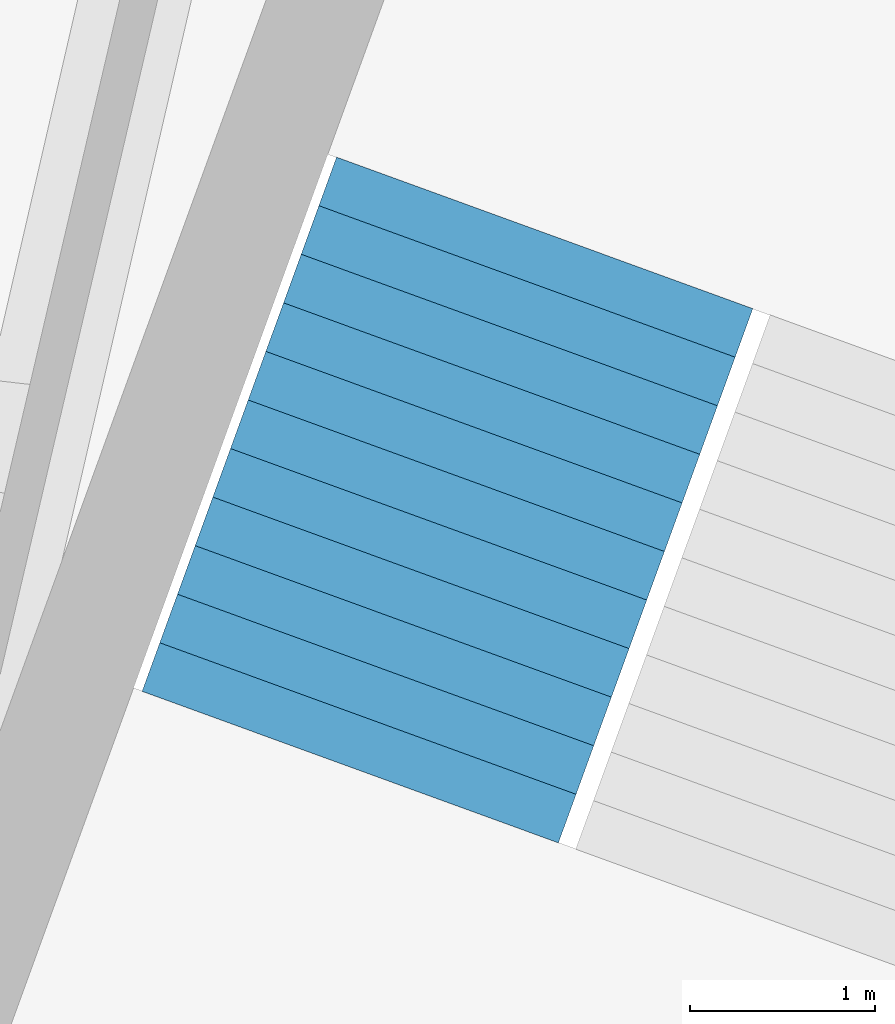
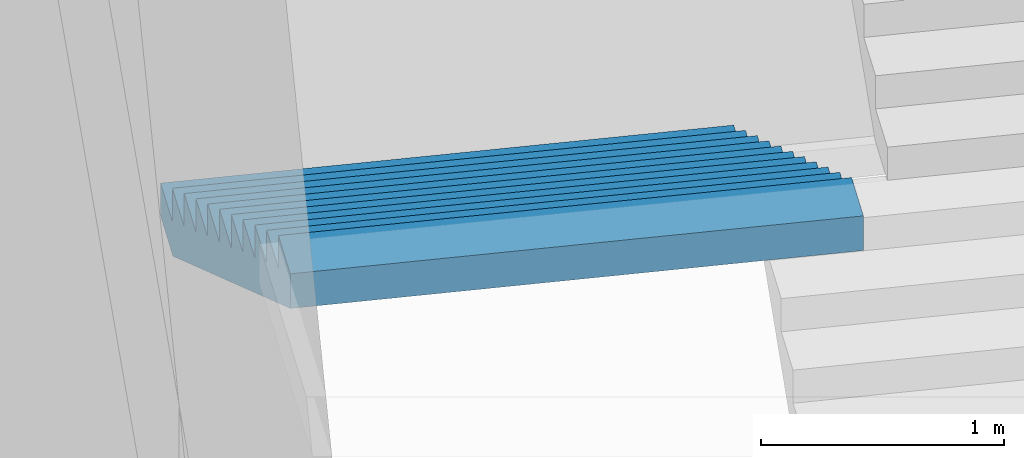
# One storey, part 48 of 74: 1 stair flight, 1 element without a shape of its own.
"""IFC4 building model written with IfcOpenShell, lengths in metres."""

from ifc_helpers import new_model, si_unit, direction, frame, origin, place, context, subcontext, project, spatial, triangles, material, type_object, element, aggregate, save


model = new_model("IFC4")

# Units and contexts
model_context = context("Model", 3, precision=1e-05, world=origin(), true_north=direction((0.0, 1.0)))
body_context = subcontext(model_context, "Body", "Model", "MODEL_VIEW")
ifc_project = project(units=[si_unit("LENGTHUNIT", "METRE"), si_unit("AREAUNIT", "SQUARE_METRE"), si_unit("VOLUMEUNIT", "CUBIC_METRE"), si_unit("PLANEANGLEUNIT", "RADIAN"), si_unit("MASSUNIT", "GRAM", prefix="KILO")], contexts=[model_context])

# Site, building, storey
site_placement = place(None, origin())
site = spatial("IfcSite", under=ifc_project, at=site_placement, CompositionType="ELEMENT")
building_placement = place(site_placement, origin())
building = spatial("IfcBuilding", under=site, at=building_placement, Name="Lantaw Convention Tower", CompositionType="ELEMENT")
storey_placement = place(building_placement, frame((0.0, 0.0, 6.5)))
storey = spatial("IfcBuildingStorey", under=building, at=storey_placement, Name="L01", CompositionType="ELEMENT", Elevation=6.5)

# Stair, stair flight
ifc_material = material(Name="Concrete C35/45", Category="concrete")
stair_type = type_object("IfcStairType", Name="Exit stair 2400 riser 166.67 in 4 flights", PredefinedType="HALF_TURN_STAIR", material=ifc_material)
stair_placement = place(storey_placement, origin())
stair = element("IfcStair", 1, at=stair_placement, inside=storey, type_object=stair_type, Name="Podium exit stair P5 L01", PredefinedType="HALF_TURN_STAIR")
stair_flight_type = type_object("IfcStairFlightType", Name="Stair flight 2400 riser 166.67", PredefinedType="STRAIGHT", material=ifc_material)
stair_flight_placement = place(storey_placement, frame((9.180419921875, 28.8779296875, 2.0), z_axis=(0.0, 0.0, 1.0), x_axis=(-0.342020143326, -0.939692620786, 0.0)))
stair_flight = element("IfcStairFlight", 2, at=stair_flight_placement, type_object=stair_flight_type, Name="P5 flight 2", NumberOfRisers=12, NumberOfTreads=11, PredefinedType="STRAIGHT", RiserHeight=0.166666667, TreadLength=0.28, context=body_context, shape_type="Tessellation", body=[
    triangles([(0.0, 1.199951171875, 0.0), (0.0, 1.199951171875, 0.166666667), (0.28, 1.199951171875, 0.0), (0.28, 1.199951171875, 0.166666667), (0.28, 1.199951171875, 0.333333334), (0.29307345806906726, 1.199951171875, 0.0), (0.29307345806906726, 1.199951171875, 0.333333334), (0.56, 1.199951171875, 0.15888484670522965), (0.56, 1.199951171875, 0.333333334), (0.56, 1.199951171875, 0.500000001), (0.8400000000000001, 1.199951171875, 0.3255515137052296), (0.8400000000000001, 1.199951171875, 0.500000001), (0.8400000000000001, 1.199951171875, 0.666666668), (1.12, 1.199951171875, 0.4922181807052296), (1.12, 1.199951171875, 0.666666668), (1.12, 1.199951171875, 0.833333335), (1.4000000000000001, 1.199951171875, 0.6588848477052296), (1.4000000000000001, 1.199951171875, 0.833333335), (1.4000000000000001, 1.199951171875, 1.000000002), (1.6800000000000002, 1.199951171875, 0.8255515147052296), (1.6800000000000002, 1.199951171875, 1.000000002), (1.6800000000000002, 1.199951171875, 1.166666669), (1.9600000000000002, 1.199951171875, 0.9922181817052296), (1.9600000000000002, 1.199951171875, 1.166666669), (1.9600000000000002, 1.199951171875, 1.333333336), (2.24, 1.199951171875, 1.1588848487052295), (2.24, 1.199951171875, 1.333333336), (2.24, 1.199951171875, 1.5000000029999998), (2.5200000000000005, 1.199951171875, 1.3255515157052296), (2.5200000000000005, 1.199951171875, 1.5000000029999998), (2.5200000000000005, 1.199951171875, 1.66666667), (2.8000000000000003, 1.199951171875, 1.4922181827052294), (2.8000000000000003, 1.199951171875, 1.66666667), (2.8000000000000003, 1.199951171875, 1.833333337), (3.08, 1.199951171875, 1.6588848497052293), (3.08, 1.199951171875, 1.833333337), (0.0, -1.199951171875, 0.0), (0.0, -1.199951171875, 0.166666667), (0.28, -1.199951171875, 0.0), (0.28, -1.199951171875, 0.166666667), (0.28, -1.199951171875, 0.333333334), (0.29307345806906726, -1.199951171875, 0.0), (0.29307345806906726, -1.199951171875, 0.333333334), (0.56, -1.199951171875, 0.15888484670522965), (0.56, -1.199951171875, 0.333333334), (0.56, -1.199951171875, 0.500000001), (0.8400000000000001, -1.199951171875, 0.3255515137052296), (0.8400000000000001, -1.199951171875, 0.500000001), (0.8400000000000001, -1.199951171875, 0.666666668), (1.12, -1.199951171875, 0.4922181807052296), (1.12, -1.199951171875, 0.666666668), (1.12, -1.199951171875, 0.833333335), (1.4000000000000001, -1.199951171875, 0.6588848477052296), (1.4000000000000001, -1.199951171875, 0.833333335), (1.4000000000000001, -1.199951171875, 1.000000002), (1.6800000000000002, -1.199951171875, 0.8255515147052296), (1.6800000000000002, -1.199951171875, 1.000000002), (1.6800000000000002, -1.199951171875, 1.166666669), (1.9600000000000002, -1.199951171875, 0.9922181817052296), (1.9600000000000002, -1.199951171875, 1.166666669), (1.9600000000000002, -1.199951171875, 1.333333336), (2.24, -1.199951171875, 1.1588848487052295), (2.24, -1.199951171875, 1.333333336), (2.24, -1.199951171875, 1.5000000029999998), (2.5200000000000005, -1.199951171875, 1.3255515157052296), (2.5200000000000005, -1.199951171875, 1.5000000029999998), (2.5200000000000005, -1.199951171875, 1.66666667), (2.8000000000000003, -1.199951171875, 1.4922181827052294), (2.8000000000000003, -1.199951171875, 1.66666667), (2.8000000000000003, -1.199951171875, 1.833333337), (3.08, -1.199951171875, 1.6588848497052293), (3.08, -1.199951171875, 1.833333337), (0.0, 0.239990234375, 0.166666667), (0.0, 0.239990234375, 0.0), (0.0, 0.1199951171875, 0.166666667), (0.0, 0.1199951171875, 0.0), (0.0, 0.0, 0.166666667), (0.0, 0.0, 0.0), (0.0, -0.1199951171875, 0.166666667), (0.0, -0.1199951171875, 0.0), (0.0, -0.239990234375, 0.166666667), (0.0, -0.239990234375, 0.0), (0.28, 0.239990234375, 0.333333334), (0.28, 0.239990234375, 0.166666667), (0.28, 0.1199951171875, 0.333333334), (0.28, 0.1199951171875, 0.166666667), (0.28, 0.0, 0.333333334), (0.28, 0.0, 0.166666667), (0.28, -0.1199951171875, 0.333333334), (0.28, -0.1199951171875, 0.166666667), (0.28, -0.239990234375, 0.333333334), (0.28, -0.239990234375, 0.166666667), (0.56, 0.239990234375, 0.500000001), (0.56, 0.239990234375, 0.333333334), (0.56, 0.1199951171875, 0.500000001), (0.56, 0.1199951171875, 0.333333334), (0.56, 0.0, 0.500000001), (0.56, 0.0, 0.333333334), (0.56, -0.1199951171875, 0.500000001), (0.56, -0.1199951171875, 0.333333334), (0.56, -0.239990234375, 0.500000001), (0.56, -0.239990234375, 0.333333334), (0.8400000000000001, 0.239990234375, 0.666666668), (0.8400000000000001, 0.239990234375, 0.500000001), (0.8400000000000001, 0.1199951171875, 0.666666668), (0.8400000000000001, 0.1199951171875, 0.500000001), (0.8400000000000001, 0.0, 0.666666668), (0.8400000000000001, 0.0, 0.500000001), (0.8400000000000001, -0.1199951171875, 0.666666668), (0.8400000000000001, -0.1199951171875, 0.500000001), (0.8400000000000001, -0.239990234375, 0.666666668), (0.8400000000000001, -0.239990234375, 0.500000001), (1.12, 0.239990234375, 0.833333335), (1.12, 0.239990234375, 0.666666668), (1.12, 0.1199951171875, 0.833333335), (1.12, 0.1199951171875, 0.666666668), (1.12, 0.0, 0.833333335), (1.12, 0.0, 0.666666668), (1.12, -0.1199951171875, 0.833333335), (1.12, -0.1199951171875, 0.666666668), (1.12, -0.239990234375, 0.833333335), (1.12, -0.239990234375, 0.666666668), (1.4000000000000001, 0.239990234375, 1.000000002), (1.4000000000000001, 0.239990234375, 0.833333335), (1.4000000000000001, 0.1199951171875, 1.000000002), (1.4000000000000001, 0.1199951171875, 0.833333335), (1.4000000000000001, 0.0, 1.000000002), (1.4000000000000001, 0.0, 0.833333335), (1.4000000000000001, -0.1199951171875, 1.000000002), (1.4000000000000001, -0.1199951171875, 0.833333335), (1.4000000000000001, -0.239990234375, 1.000000002), (1.4000000000000001, -0.239990234375, 0.833333335), (1.6800000000000002, 0.239990234375, 1.166666669), (1.6800000000000002, 0.239990234375, 1.000000002), (1.6800000000000002, 0.1199951171875, 1.166666669), (1.6800000000000002, 0.1199951171875, 1.000000002), (1.6800000000000002, 0.0, 1.166666669), (1.6800000000000002, 0.0, 1.000000002), (1.6800000000000002, -0.1199951171875, 1.166666669), (1.6800000000000002, -0.1199951171875, 1.000000002), (1.6800000000000002, -0.239990234375, 1.166666669), (1.6800000000000002, -0.239990234375, 1.000000002), (1.9600000000000002, 0.239990234375, 1.333333336), (1.9600000000000002, 0.239990234375, 1.166666669), (1.9600000000000002, 0.1199951171875, 1.333333336), (1.9600000000000002, 0.1199951171875, 1.166666669), (1.9600000000000002, 0.0, 1.333333336), (1.9600000000000002, 0.0, 1.166666669), (1.9600000000000002, -0.1199951171875, 1.333333336), (1.9600000000000002, -0.1199951171875, 1.166666669), (1.9600000000000002, -0.239990234375, 1.333333336), (1.9600000000000002, -0.239990234375, 1.166666669), (2.24, 0.239990234375, 1.5000000029999998), (2.24, 0.239990234375, 1.333333336), (2.24, 0.1199951171875, 1.5000000029999998), (2.24, 0.1199951171875, 1.333333336), (2.24, 0.0, 1.5000000029999998), (2.24, 0.0, 1.333333336), (2.24, -0.1199951171875, 1.5000000029999998), (2.24, -0.1199951171875, 1.333333336), (2.24, -0.239990234375, 1.5000000029999998), (2.24, -0.239990234375, 1.333333336), (2.5200000000000005, 0.239990234375, 1.66666667), (2.5200000000000005, 0.239990234375, 1.5000000029999998), (2.5200000000000005, 0.1199951171875, 1.66666667), (2.5200000000000005, 0.1199951171875, 1.5000000029999998), (2.5200000000000005, 0.0, 1.66666667), (2.5200000000000005, 0.0, 1.5000000029999998), (2.5200000000000005, -0.1199951171875, 1.66666667), (2.5200000000000005, -0.1199951171875, 1.5000000029999998), (2.5200000000000005, -0.239990234375, 1.66666667), (2.5200000000000005, -0.239990234375, 1.5000000029999998), (2.8000000000000003, 0.239990234375, 1.833333337), (2.8000000000000003, 0.239990234375, 1.66666667), (2.8000000000000003, 0.1199951171875, 1.833333337), (2.8000000000000003, 0.1199951171875, 1.66666667), (2.8000000000000003, 0.0, 1.833333337), (2.8000000000000003, 0.0, 1.66666667), (2.8000000000000003, -0.1199951171875, 1.833333337), (2.8000000000000003, -0.1199951171875, 1.66666667), (2.8000000000000003, -0.239990234375, 1.833333337), (2.8000000000000003, -0.239990234375, 1.66666667), (0.29307345806906726, 0.239990234375, 0.333333334), (0.29307345806906726, 0.1199951171875, 0.333333334), (0.29307345806906726, 0.0, 0.333333334), (0.29307345806906726, -0.1199951171875, 0.333333334), (0.29307345806906726, -0.239990234375, 0.333333334), (3.08, 0.239990234375, 1.833333337), (3.08, 0.1199951171875, 1.833333337), (3.08, 0.0, 1.833333337), (3.08, -0.1199951171875, 1.833333337), (3.08, -0.239990234375, 1.833333337), (3.08, 0.239990234375, 1.6588848497052293), (3.08, 0.1199951171875, 1.6588848497052293), (3.08, 0.0, 1.6588848497052293), (3.08, -0.1199951171875, 1.6588848497052293), (3.08, -0.239990234375, 1.6588848497052293), (2.8000000000000003, 0.239990234375, 1.4922181827052294), (2.8000000000000003, 0.1199951171875, 1.4922181827052294), (2.8000000000000003, 0.0, 1.4922181827052294), (2.8000000000000003, -0.1199951171875, 1.4922181827052294), (2.8000000000000003, -0.239990234375, 1.4922181827052294), (2.5200000000000005, 0.239990234375, 1.3255515157052296), (2.5200000000000005, 0.1199951171875, 1.3255515157052296), (2.5200000000000005, 0.0, 1.3255515157052296), (2.5200000000000005, -0.1199951171875, 1.3255515157052296), (2.5200000000000005, -0.239990234375, 1.3255515157052296), (2.24, 0.239990234375, 1.1588848487052295), (2.24, 0.1199951171875, 1.1588848487052295), (2.24, 0.0, 1.1588848487052295), (2.24, -0.1199951171875, 1.1588848487052295), (2.24, -0.239990234375, 1.1588848487052295), (1.9600000000000002, 0.239990234375, 0.9922181817052296), (1.9600000000000002, 0.1199951171875, 0.9922181817052296), (1.9600000000000002, 0.0, 0.9922181817052296), (1.9600000000000002, -0.1199951171875, 0.9922181817052296), (1.9600000000000002, -0.239990234375, 0.9922181817052296), (1.6800000000000002, 0.239990234375, 0.8255515147052296), (1.6800000000000002, 0.1199951171875, 0.8255515147052296), (1.6800000000000002, 0.0, 0.8255515147052296), (1.6800000000000002, -0.1199951171875, 0.8255515147052296), (1.6800000000000002, -0.239990234375, 0.8255515147052296), (1.4000000000000001, 0.239990234375, 0.6588848477052296), (1.4000000000000001, 0.1199951171875, 0.6588848477052296), (1.4000000000000001, 0.0, 0.6588848477052296), (1.4000000000000001, -0.1199951171875, 0.6588848477052296), (1.4000000000000001, -0.239990234375, 0.6588848477052296), (1.12, 0.239990234375, 0.4922181807052296), (1.12, 0.1199951171875, 0.4922181807052296), (1.12, 0.0, 0.4922181807052296), (1.12, -0.1199951171875, 0.4922181807052296), (1.12, -0.239990234375, 0.4922181807052296), (0.8400000000000001, 0.239990234375, 0.3255515137052296), (0.8400000000000001, 0.1199951171875, 0.3255515137052296), (0.8400000000000001, 0.0, 0.3255515137052296), (0.8400000000000001, -0.1199951171875, 0.3255515137052296), (0.8400000000000001, -0.239990234375, 0.3255515137052296), (0.56, 0.239990234375, 0.15888484670522965), (0.56, 0.1199951171875, 0.15888484670522965), (0.56, 0.0, 0.15888484670522965), (0.56, -0.1199951171875, 0.15888484670522965), (0.56, -0.239990234375, 0.15888484670522965), (0.29307345806906726, 0.239990234375, 0.0), (0.29307345806906726, 0.1199951171875, 0.0), (0.29307345806906726, 0.0, 0.0), (0.29307345806906726, -0.1199951171875, 0.0), (0.29307345806906726, -0.239990234375, 0.0), (0.28, 0.239990234375, 0.0), (0.28, 0.1199951171875, 0.0), (0.28, 0.0, 0.0), (0.28, -0.1199951171875, 0.0), (0.28, -0.239990234375, 0.0)], [[1, 4, 3], [1, 2, 4], [3, 4, 6], [4, 7, 6], [4, 5, 7], [6, 9, 8], [6, 7, 9], [8, 9, 11], [9, 12, 11], [9, 10, 12], [11, 12, 14], [12, 15, 14], [12, 13, 15], [14, 15, 17], [15, 18, 17], [15, 16, 18], [17, 18, 20], [18, 21, 20], [18, 19, 21], [20, 21, 23], [21, 24, 23], [21, 22, 24], [23, 24, 26], [24, 27, 26], [24, 25, 27], [26, 27, 29], [27, 30, 29], [27, 28, 30], [29, 30, 32], [30, 33, 32], [30, 31, 33], [32, 33, 35], [33, 36, 35], [33, 34, 36], [37, 39, 40], [37, 40, 38], [39, 42, 40], [40, 42, 43], [40, 43, 41], [42, 44, 45], [42, 45, 43], [44, 47, 45], [45, 47, 48], [45, 48, 46], [47, 50, 48], [48, 50, 51], [48, 51, 49], [50, 53, 51], [51, 53, 54], [51, 54, 52], [53, 56, 54], [54, 56, 57], [54, 57, 55], [56, 59, 57], [57, 59, 60], [57, 60, 58], [59, 62, 60], [60, 62, 63], [60, 63, 61], [62, 65, 63], [63, 65, 66], [63, 66, 64], [65, 68, 66], [66, 68, 69], [66, 69, 67], [68, 71, 69], [69, 71, 72], [69, 72, 70], [1, 73, 2], [1, 74, 73], [74, 75, 73], [74, 76, 75], [76, 77, 75], [76, 78, 77], [78, 79, 77], [78, 80, 79], [80, 81, 79], [80, 82, 81], [82, 38, 81], [82, 37, 38], [4, 83, 5], [4, 84, 83], [84, 85, 83], [84, 86, 85], [86, 87, 85], [86, 88, 87], [88, 89, 87], [88, 90, 89], [90, 91, 89], [90, 92, 91], [92, 41, 91], [92, 40, 41], [9, 93, 10], [9, 94, 93], [94, 95, 93], [94, 96, 95], [96, 97, 95], [96, 98, 97], [98, 99, 97], [98, 100, 99], [100, 101, 99], [100, 102, 101], [102, 46, 101], [102, 45, 46], [12, 103, 13], [12, 104, 103], [104, 105, 103], [104, 106, 105], [106, 107, 105], [106, 108, 107], [108, 109, 107], [108, 110, 109], [110, 111, 109], [110, 112, 111], [112, 49, 111], [112, 48, 49], [15, 113, 16], [15, 114, 113], [114, 115, 113], [114, 116, 115], [116, 117, 115], [116, 118, 117], [118, 119, 117], [118, 120, 119], [120, 121, 119], [120, 122, 121], [122, 52, 121], [122, 51, 52], [18, 123, 19], [18, 124, 123], [124, 125, 123], [124, 126, 125], [126, 127, 125], [126, 128, 127], [128, 129, 127], [128, 130, 129], [130, 131, 129], [130, 132, 131], [132, 55, 131], [132, 54, 55], [21, 133, 22], [21, 134, 133], [134, 135, 133], [134, 136, 135], [136, 137, 135], [136, 138, 137], [138, 139, 137], [138, 140, 139], [140, 141, 139], [140, 142, 141], [142, 58, 141], [142, 57, 58], [24, 143, 25], [24, 144, 143], [144, 145, 143], [144, 146, 145], [146, 147, 145], [146, 148, 147], [148, 149, 147], [148, 150, 149], [150, 151, 149], [150, 152, 151], [152, 61, 151], [152, 60, 61], [27, 153, 28], [27, 154, 153], [154, 155, 153], [154, 156, 155], [156, 157, 155], [156, 158, 157], [158, 159, 157], [158, 160, 159], [160, 161, 159], [160, 162, 161], [162, 64, 161], [162, 63, 64], [30, 163, 31], [30, 164, 163], [164, 165, 163], [164, 166, 165], [166, 167, 165], [166, 168, 167], [168, 169, 167], [168, 170, 169], [170, 171, 169], [170, 172, 171], [172, 67, 171], [172, 66, 67], [33, 173, 34], [33, 174, 173], [174, 175, 173], [174, 176, 175], [176, 177, 175], [176, 178, 177], [178, 179, 177], [178, 180, 179], [180, 181, 179], [180, 182, 181], [182, 70, 181], [182, 69, 70], [2, 84, 4], [2, 73, 84], [73, 86, 84], [73, 75, 86], [75, 88, 86], [75, 77, 88], [77, 90, 88], [77, 79, 90], [79, 92, 90], [79, 81, 92], [81, 40, 92], [81, 38, 40], [5, 183, 7], [5, 83, 183], [83, 184, 183], [83, 85, 184], [85, 185, 184], [85, 87, 185], [87, 186, 185], [87, 89, 186], [89, 187, 186], [89, 91, 187], [91, 43, 187], [91, 41, 43], [7, 94, 9], [7, 183, 94], [183, 96, 94], [183, 184, 96], [184, 98, 96], [184, 185, 98], [185, 100, 98], [185, 186, 100], [186, 102, 100], [186, 187, 102], [187, 45, 102], [187, 43, 45], [10, 104, 12], [10, 93, 104], [93, 106, 104], [93, 95, 106], [95, 108, 106], [95, 97, 108], [97, 110, 108], [97, 99, 110], [99, 112, 110], [99, 101, 112], [101, 48, 112], [101, 46, 48], [13, 114, 15], [13, 103, 114], [103, 116, 114], [103, 105, 116], [105, 118, 116], [105, 107, 118], [107, 120, 118], [107, 109, 120], [109, 122, 120], [109, 111, 122], [111, 51, 122], [111, 49, 51], [16, 124, 18], [16, 113, 124], [113, 126, 124], [113, 115, 126], [115, 128, 126], [115, 117, 128], [117, 130, 128], [117, 119, 130], [119, 132, 130], [119, 121, 132], [121, 54, 132], [121, 52, 54], [19, 134, 21], [19, 123, 134], [123, 136, 134], [123, 125, 136], [125, 138, 136], [125, 127, 138], [127, 140, 138], [127, 129, 140], [129, 142, 140], [129, 131, 142], [131, 57, 142], [131, 55, 57], [22, 144, 24], [22, 133, 144], [133, 146, 144], [133, 135, 146], [135, 148, 146], [135, 137, 148], [137, 150, 148], [137, 139, 150], [139, 152, 150], [139, 141, 152], [141, 60, 152], [141, 58, 60], [25, 154, 27], [25, 143, 154], [143, 156, 154], [143, 145, 156], [145, 158, 156], [145, 147, 158], [147, 160, 158], [147, 149, 160], [149, 162, 160], [149, 151, 162], [151, 63, 162], [151, 61, 63], [28, 164, 30], [28, 153, 164], [153, 166, 164], [153, 155, 166], [155, 168, 166], [155, 157, 168], [157, 170, 168], [157, 159, 170], [159, 172, 170], [159, 161, 172], [161, 66, 172], [161, 64, 66], [31, 174, 33], [31, 163, 174], [163, 176, 174], [163, 165, 176], [165, 178, 176], [165, 167, 178], [167, 180, 178], [167, 169, 180], [169, 182, 180], [169, 171, 182], [171, 69, 182], [171, 67, 69], [34, 188, 36], [34, 173, 188], [173, 189, 188], [173, 175, 189], [175, 190, 189], [175, 177, 190], [177, 191, 190], [177, 179, 191], [179, 192, 191], [179, 181, 192], [181, 72, 192], [181, 70, 72], [36, 193, 35], [36, 188, 193], [188, 194, 193], [188, 189, 194], [189, 195, 194], [189, 190, 195], [190, 196, 195], [190, 191, 196], [191, 197, 196], [191, 192, 197], [192, 71, 197], [192, 72, 71], [35, 198, 32], [35, 193, 198], [193, 199, 198], [193, 194, 199], [194, 200, 199], [194, 195, 200], [195, 201, 200], [195, 196, 201], [196, 202, 201], [196, 197, 202], [197, 68, 202], [197, 71, 68], [32, 203, 29], [32, 198, 203], [198, 204, 203], [198, 199, 204], [199, 205, 204], [199, 200, 205], [200, 206, 205], [200, 201, 206], [201, 207, 206], [201, 202, 207], [202, 65, 207], [202, 68, 65], [29, 208, 26], [29, 203, 208], [203, 209, 208], [203, 204, 209], [204, 210, 209], [204, 205, 210], [205, 211, 210], [205, 206, 211], [206, 212, 211], [206, 207, 212], [207, 62, 212], [207, 65, 62], [26, 213, 23], [26, 208, 213], [208, 214, 213], [208, 209, 214], [209, 215, 214], [209, 210, 215], [210, 216, 215], [210, 211, 216], [211, 217, 216], [211, 212, 217], [212, 59, 217], [212, 62, 59], [23, 218, 20], [23, 213, 218], [213, 219, 218], [213, 214, 219], [214, 220, 219], [214, 215, 220], [215, 221, 220], [215, 216, 221], [216, 222, 221], [216, 217, 222], [217, 56, 222], [217, 59, 56], [20, 223, 17], [20, 218, 223], [218, 224, 223], [218, 219, 224], [219, 225, 224], [219, 220, 225], [220, 226, 225], [220, 221, 226], [221, 227, 226], [221, 222, 227], [222, 53, 227], [222, 56, 53], [17, 228, 14], [17, 223, 228], [223, 229, 228], [223, 224, 229], [224, 230, 229], [224, 225, 230], [225, 231, 230], [225, 226, 231], [226, 232, 231], [226, 227, 232], [227, 50, 232], [227, 53, 50], [14, 233, 11], [14, 228, 233], [228, 234, 233], [228, 229, 234], [229, 235, 234], [229, 230, 235], [230, 236, 235], [230, 231, 236], [231, 237, 236], [231, 232, 237], [232, 47, 237], [232, 50, 47], [11, 238, 8], [11, 233, 238], [233, 239, 238], [233, 234, 239], [234, 240, 239], [234, 235, 240], [235, 241, 240], [235, 236, 241], [236, 242, 241], [236, 237, 242], [237, 44, 242], [237, 47, 44], [8, 243, 6], [8, 238, 243], [238, 244, 243], [238, 239, 244], [239, 245, 244], [239, 240, 245], [240, 246, 245], [240, 241, 246], [241, 247, 246], [241, 242, 247], [242, 42, 247], [242, 44, 42], [6, 248, 3], [6, 243, 248], [243, 249, 248], [243, 244, 249], [244, 250, 249], [244, 245, 250], [245, 251, 250], [245, 246, 251], [246, 252, 251], [246, 247, 252], [247, 39, 252], [247, 42, 39], [3, 74, 1], [3, 248, 74], [248, 76, 74], [248, 249, 76], [249, 78, 76], [249, 250, 78], [250, 80, 78], [250, 251, 80], [251, 82, 80], [251, 252, 82], [252, 37, 82], [252, 39, 37]], closed=True),
])
aggregate(stair, [stair_flight])

save(model, "model.ifc")
